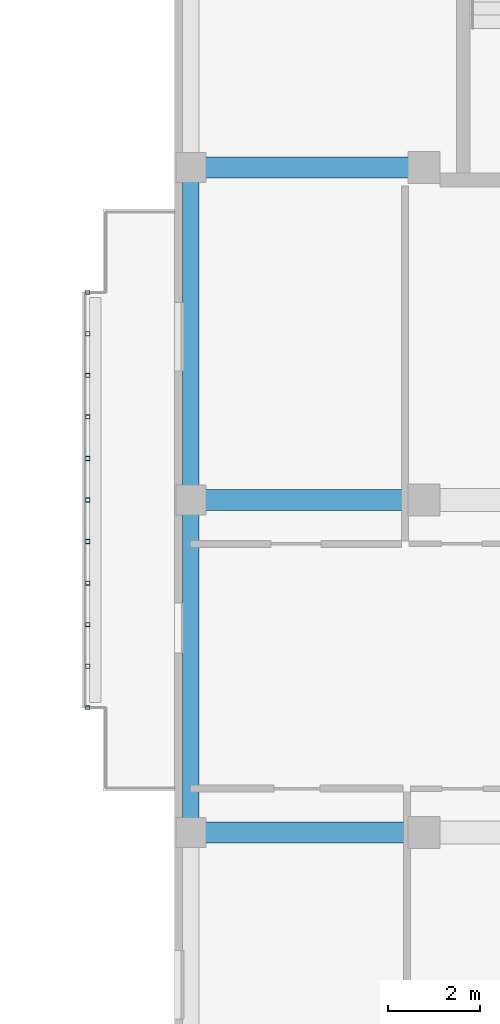
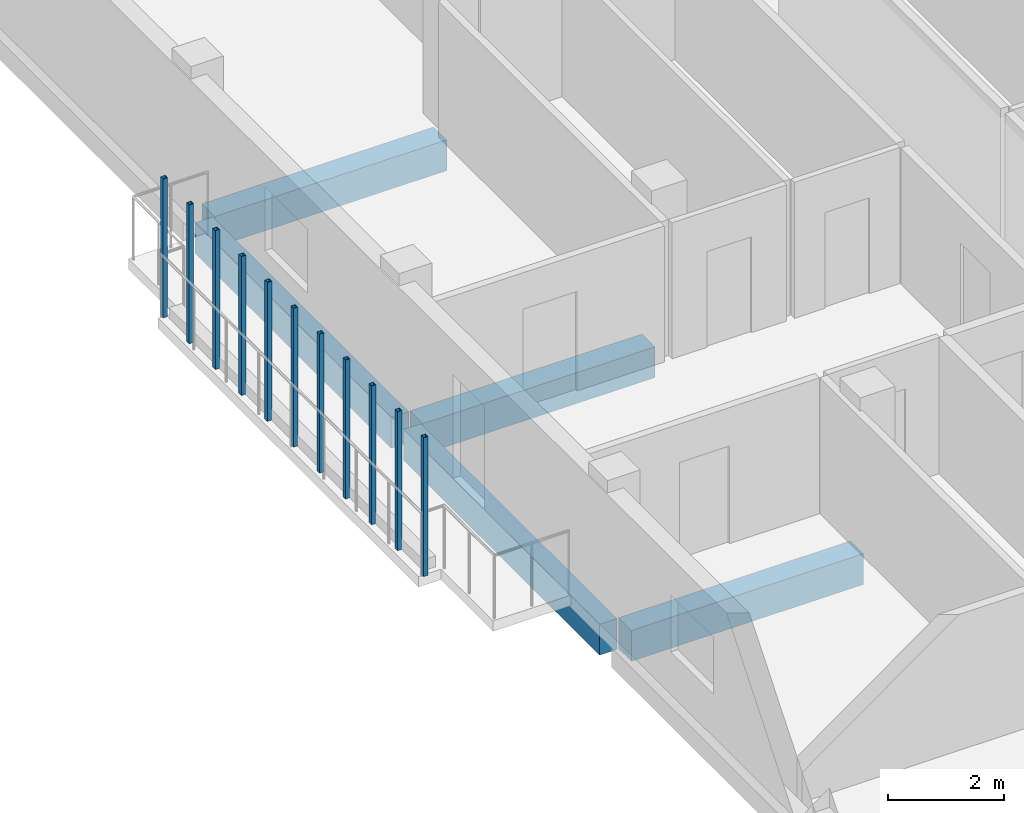
# One storey, part 19 of 51: 11 members, 5 beams.
"""IFC4 building model written with IfcOpenShell, lengths in metres."""

from ifc_helpers import new_model, si_unit, derived_unit, direction, frame, origin, origin_2d, place, context, subcontext, project, spatial, rectangle, hollow_rectangle, extrude, material, material_profile, profile_set, type_object, element, save


model = new_model("IFC4")

# Units and contexts
model_context = context("Model", 3, precision=1e-05, world=origin(), true_north=direction((0.0, 1.0)))
body_context = subcontext(model_context, "Body", "Model", "MODEL_VIEW")
ifc_project = project(units=[si_unit("LENGTHUNIT", "METRE"), si_unit("AREAUNIT", "SQUARE_METRE"), si_unit("VOLUMEUNIT", "CUBIC_METRE"), si_unit("PLANEANGLEUNIT", "RADIAN"), si_unit("MASSUNIT", "GRAM", prefix="KILO"), derived_unit("THERMALTRANSMITTANCEUNIT", [(si_unit("MASSUNIT", "GRAM", prefix="KILO"), 1), (si_unit("TIMEUNIT", "SECOND"), -3), (si_unit("THERMODYNAMICTEMPERATUREUNIT", "KELVIN"), -1)])], contexts=[model_context])

# Site, building, storey
site_placement = place(None, origin())
site = spatial("IfcSite", under=ifc_project, at=site_placement, CompositionType="ELEMENT")
building_placement = place(site_placement, origin())
building = spatial("IfcBuilding", under=site, at=building_placement, Name="Ochrekiln Boulevard Commons", CompositionType="ELEMENT")
storey_placement = place(building_placement, frame((0.0, 0.0, 15.22509765625)))
storey = spatial("IfcBuildingStorey", under=building, at=storey_placement, Name="L04", CompositionType="ELEMENT", Elevation=15.22509765625)

# Beams
ifc_material_1 = material(Name="Concrete C35/45", Category="concrete")
ifc_material_profile_1 = material_profile(ifc_material_1, rectangle(XDim=0.449951171875, YDim=0.64990234375, at=origin_2d()), Name="RC-BM-450x650")
ifc_profile_set_1 = profile_set([ifc_material_profile_1], Name="Concrete C35/45")
beam_type_1 = type_object("IfcBeamType", Name="BM-RC-450x650", PredefinedType="BEAM", material=ifc_profile_set_1)
for number, where, z_axis, x_axis, name in (
    (1, (151.760009765625, 97.199951171875, -0.585205078125), (1.0, 0.0, 0.0), (0.0, 1.0, 0.0), "Block B L04 Beam B-4565 X12"),
    (2, (151.760009765625, 104.39990234375, -0.585205078125), (1.0, 0.0, 0.0), (0.0, 1.0, 0.0), "Block B L04 Beam B-4565 X15"),
    (3, (151.760009765625, 111.60009765625, -0.585205078125), (1.0, 0.0, 0.0), (0.0, 1.0, 0.0), "Block B L04 Beam B-4565 X18"),
):
    element("IfcBeam", number, at=place(storey_placement, frame(where, z_axis=z_axis, x_axis=x_axis)), inside=storey, type_object=beam_type_1, Name=name, PredefinedType="BEAM", context=body_context, shape_type="SweptSolid", body=[
        extrude(rectangle(XDim=0.449951171875, YDim=0.64990234375, at=origin_2d()), origin(), (0.0, 0.0, 1.0), 4.6298828125),
    ])

# Members
ifc_material_2 = material(Name="Steel A500 Grade C", Category="steel")
ifc_material_profile_2 = material_profile(ifc_material_2, hollow_rectangle(XDim=0.090087890625, YDim=0.090087890625, WallThickness=0.00634765625, at=origin_2d()), Name="HSS90X90X6.4")
ifc_profile_set_2 = profile_set([ifc_material_profile_2], Name="Steel A500 Grade C")
member_type = type_object("IfcMemberType", Name="MEM-PST-HSS90", PredefinedType="POST", material=ifc_profile_set_2)
for number, where, z_axis, x_axis, name in (
    (4, (149.320068359375, 99.89990234375, 0.0), (0.0, 0.0, 1.0), (1.0, 0.0, 0.0), "Block B L04 Slim Vertical Balcony Post (232)"),
    (5, (149.320068359375, 100.800048828125, 0.0), (0.0, 0.0, 1.0), (1.0, 0.0, 0.0), "Block B L04 Slim Vertical Balcony Post (233)"),
    (6, (149.320068359375, 101.699951171875, 0.0), (0.0, 0.0, 1.0), (1.0, 0.0, 0.0), "Block B L04 Slim Vertical Balcony Post (234)"),
    (7, (149.320068359375, 102.60009765625, 0.0), (0.0, 0.0, 1.0), (1.0, 0.0, 0.0), "Block B L04 Slim Vertical Balcony Post (235)"),
    (8, (149.320068359375, 103.5, 0.0), (0.0, 0.0, 1.0), (1.0, 0.0, 0.0), "Block B L04 Slim Vertical Balcony Post (236)"),
    (9, (149.320068359375, 104.39990234375, 0.0), (0.0, 0.0, 1.0), (1.0, 0.0, 0.0), "Block B L04 Slim Vertical Balcony Post (237)"),
    (10, (149.320068359375, 105.300048828125, 0.0), (0.0, 0.0, 1.0), (1.0, 0.0, 0.0), "Block B L04 Slim Vertical Balcony Post (238)"),
    (11, (149.320068359375, 106.199951171875, 0.0), (0.0, 0.0, 1.0), (1.0, 0.0, 0.0), "Block B L04 Slim Vertical Balcony Post (239)"),
    (12, (149.320068359375, 107.10009765625, 0.0), (0.0, 0.0, 1.0), (1.0, 0.0, 0.0), "Block B L04 Slim Vertical Balcony Post (240)"),
    (13, (149.320068359375, 108.0, 0.0), (0.0, 0.0, 1.0), (1.0, 0.0, 0.0), "Block B L04 Slim Vertical Balcony Post (241)"),
    (14, (149.320068359375, 108.89990234375, 0.0), (0.0, 0.0, 1.0), (1.0, 0.0, 0.0), "Block B L04 Slim Vertical Balcony Post (242)"),
):
    element("IfcMember", number, at=place(storey_placement, frame(where, z_axis=z_axis, x_axis=x_axis)), inside=storey, type_object=member_type, Name=name, PredefinedType="POST", context=body_context, shape_type="SweptSolid", body=[
        extrude(hollow_rectangle(XDim=0.090087890625, YDim=0.090087890625, WallThickness=0.00634765625, at=origin_2d()), origin(), (0.0, 0.0, 1.0), 2.929931640625),
    ])

# Beams
ifc_material_3 = material(Name="Concrete C40/50", Category="concrete")
ifc_material_profile_3 = material_profile(ifc_material_3, rectangle(XDim=0.35009765625, YDim=0.64990234375, at=origin_2d()), Name="RC-SPN-350x650")
ifc_profile_set_3 = profile_set([ifc_material_profile_3], Name="Concrete C40/50")
beam_type_2 = type_object("IfcBeamType", Name="SPN-RC-350x650", PredefinedType="SPANDREL", material=ifc_profile_set_3)
beam_1_placement = place(storey_placement, frame((151.550048828125, 97.409912109375, -0.585205078125), z_axis=(0.0, 1.0, 0.0), x_axis=(-1.0, 0.0, 0.0)))
element("IfcBeam", 15, at=beam_1_placement, inside=storey, type_object=beam_type_2, Name="Block B L04 Beam SP-3565 Y27", PredefinedType="SPANDREL", context=body_context, shape_type="SweptSolid", body=[
    extrude(rectangle(XDim=0.35009765625, YDim=0.64990234375, at=origin_2d()), origin(), (0.0, 0.0, 1.0), 6.780029296875),
])
beam_2_placement = place(storey_placement, frame((151.550048828125, 104.610107421875, -0.585205078125), z_axis=(0.0, 1.0, 0.0), x_axis=(-1.0, 0.0, 0.0)))
element("IfcBeam", 16, at=beam_2_placement, inside=storey, type_object=beam_type_2, Name="Block B L04 Beam SP-3565 Y28", PredefinedType="SPANDREL", context=body_context, shape_type="SweptSolid", body=[
    extrude(rectangle(XDim=0.35009765625, YDim=0.64990234375, at=origin_2d()), origin(), (0.0, 0.0, 1.0), 6.77978515625),
])

save(model, "model.ifc")
